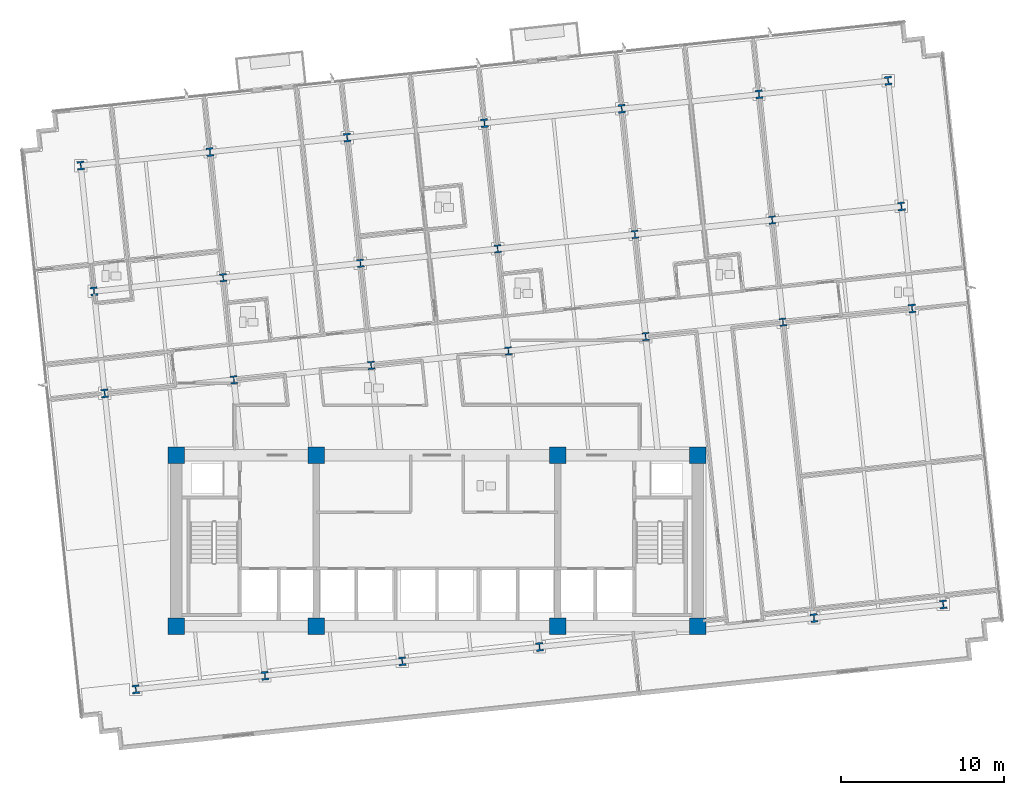
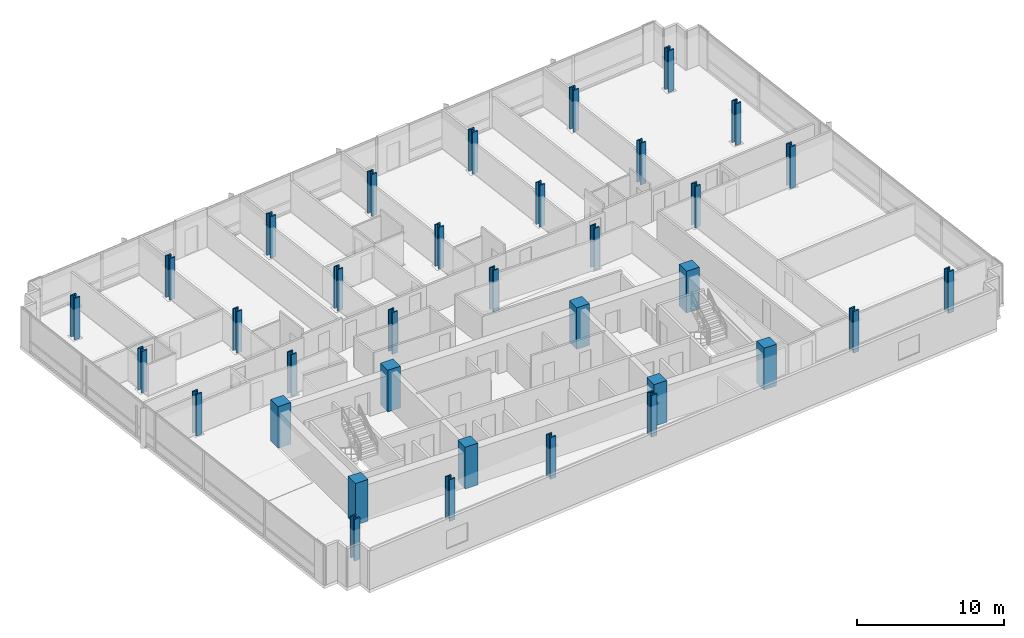
# One storey, part 1 of 20: 35 columns.
"""IFC4 building model written with IfcOpenShell, lengths in metres."""

import ifcopenshell
import ifcopenshell.guid

model = None  # the IFC model being written
_history = None  # IfcOwnerHistory: only IFC2X3 demands one
_inside = {}  # id of a spatial element -> (the spatial element, [elements in it])
_under = {}  # id of a project, library or spatial element -> (it, [spatial elements below it])
_declared = {}  # id of a project -> (the project, [libraries it declares])
_typed = {}  # id of a type object -> (the type object, [elements of that type])
_made_of = {}  # id of a material, layer set ... -> (it, [elements and type objects made of it])


def new_model(schema):
    """Start an empty IFC model of exactly this schema.

    Asked for "IFC4X3", IfcOpenShell would pick the latest addendum, in which some entities
    have other attributes; the version numbers below select the first issue.
    IFC2X3 requires an IfcOwnerHistory on every rooted entity: one is made here for all.
    """
    global model, _history
    if schema == "IFC4X3":
        model = ifcopenshell.file(schema_version=(4, 3, 0, 0))
    else:
        model = ifcopenshell.file(schema=schema)
    _inside.clear()
    _under.clear()
    _declared.clear()
    _typed.clear()
    _made_of.clear()
    _history = None
    if model.schema == "IFC2X3":
        org = make("IfcOrganization", Name="unknown")
        user = make(
            "IfcPersonAndOrganization",
            ThePerson=make("IfcPerson", FamilyName="unknown"),
            TheOrganization=org,
        )
        app = make(
            "IfcApplication",
            ApplicationDeveloper=org,
            Version="unknown",
            ApplicationFullName="unknown",
            ApplicationIdentifier="unknown",
        )
        _history = make(
            "IfcOwnerHistory",
            OwningUser=user,
            OwningApplication=app,
            ChangeAction="ADDED",
            CreationDate=0,
        )
    return model


def make(cls, **values):
    """One entity of the class cls with the attributes given. An attribute that is None is left unset."""
    return model.create_entity(
        cls, **{name: value for name, value in values.items() if value is not None}
    )


def rooted(cls, **values):
    """An entity with a GlobalId (a new one), such as an element, a storey or a relation."""
    return make(cls, GlobalId=ifcopenshell.guid.new(), OwnerHistory=_history, **values)


def si_unit(unit_type, name, prefix=None):
    """IfcSIUnit, for example si_unit("LENGTHUNIT", "METRE", prefix="MILLI")."""
    return make("IfcSIUnit", UnitType=unit_type, Prefix=prefix, Name=name)


def assignment(units):
    """IfcUnitAssignment: the units of a project."""
    return None if units is None else make("IfcUnitAssignment", Units=units)


def point(xyz):
    """IfcCartesianPoint."""
    return None if xyz is None else make("IfcCartesianPoint", Coordinates=xyz)


def direction(xyz):
    """IfcDirection."""
    return None if xyz is None else make("IfcDirection", DirectionRatios=xyz)


def frame(location, z_axis=None, x_axis=None):
    """IfcAxis2Placement3D, a coordinate frame: its origin and axes. An axis left out is left unset."""
    return make(
        "IfcAxis2Placement3D",
        Location=point(location),
        Axis=direction(z_axis),
        RefDirection=direction(x_axis),
    )


def frame_2d(location, x_axis=None):
    """IfcAxis2Placement2D, a coordinate frame in the plane: its origin and x axis."""
    return make(
        "IfcAxis2Placement2D", Location=point(location), RefDirection=direction(x_axis)
    )


def origin():
    """The frame at (0, 0, 0) with its axes left unset."""
    return frame((0.0, 0.0, 0.0))


def origin_2d():
    """The frame at (0, 0) in the plane with its x axis left unset."""
    return frame_2d((0.0, 0.0))


def place(relative_to, where):
    """IfcLocalPlacement: puts the frame where relative to a parent placement (None: the world)."""
    return make(
        "IfcLocalPlacement", PlacementRelTo=relative_to, RelativePlacement=where
    )


def context(
    kind, dimensions, precision=None, world=None, true_north=None, identifier=None
):
    """IfcGeometricRepresentationContext, for example the 3D "Model" context."""
    return make(
        "IfcGeometricRepresentationContext",
        ContextIdentifier=identifier,
        ContextType=kind,
        CoordinateSpaceDimension=dimensions,
        Precision=precision,
        WorldCoordinateSystem=world,
        TrueNorth=true_north,
    )


def subcontext(parent, identifier, kind, view, scale=None):
    """IfcGeometricRepresentationSubContext, for example "Body" below "Model"."""
    return make(
        "IfcGeometricRepresentationSubContext",
        ContextIdentifier=identifier,
        ContextType=kind,
        ParentContext=parent,
        TargetScale=scale,
        TargetView=view,
    )


def project(units=None, contexts=None):
    """IfcProject with its units and contexts."""
    return rooted(
        "IfcProject",
        Name="project",
        RepresentationContexts=contexts,
        UnitsInContext=assignment(units),
    )


def spatial(cls, under=None, at=None, **own):
    """A site, building, storey or space (cls), placed at a placement, below another one or the project."""
    s = rooted(cls, ObjectPlacement=at, **own)
    if under is not None:
        _under.setdefault(under.id(), (under, []))[1].append(s)
    return s


def profile(cls, at=None, kind="AREA", **sizes):
    """A parametric profile (cls). Its sizes go by their IFC names, for example OverallWidth=200.0."""
    return make(cls, ProfileType=kind, Position=at, **sizes)


def rectangle(**sizes):
    """IfcRectangleProfileDef."""
    return profile("IfcRectangleProfileDef", **sizes)


def i_section(**sizes):
    """IfcIShapeProfileDef."""
    return profile("IfcIShapeProfileDef", **sizes)


def extrude(swept, where, along, depth):
    """IfcExtrudedAreaSolid: the profile swept, set in the frame where, extruded along a direction by depth."""
    return make(
        "IfcExtrudedAreaSolid",
        SweptArea=swept,
        Position=where,
        ExtrudedDirection=direction(along),
        Depth=depth,
    )


def shape(context_of_items, identifier, shape_type, items):
    """IfcShapeRepresentation: the items that make up one representation, for example the "Body"."""
    return make(
        "IfcShapeRepresentation",
        ContextOfItems=context_of_items,
        RepresentationIdentifier=identifier,
        RepresentationType=shape_type,
        Items=items,
    )


def material(Name=None, Category=None):
    """IfcMaterial."""
    return make("IfcMaterial", Name=Name, Category=Category)


def material_profile(
    of_material, cross_section, Name=None, Category=None, Priority=None
):
    """IfcMaterialProfile: a cross section and its material."""
    return make(
        "IfcMaterialProfile",
        Name=Name,
        Material=of_material,
        Profile=cross_section,
        Priority=Priority,
        Category=Category,
    )


def profile_set(profiles, Name=None, composite=None):
    """IfcMaterialProfileSet."""
    return make(
        "IfcMaterialProfileSet",
        Name=Name,
        MaterialProfiles=profiles,
        CompositeProfile=composite,
    )


def made_of(thing, what):
    """Note that an element or type object is made of a material, layer set ...; save() writes the relation."""
    if what is not None:
        _made_of.setdefault(what.id(), (what, []))[1].append(thing)
    return thing


def type_object(cls, material=None, **own):
    """A type object (cls), such as IfcWallType, which elements share."""
    return made_of(rooted(cls, **own), material)


def element(
    cls,
    number,
    at=None,
    inside=None,
    cuts=None,
    type_object=None,
    material=None,
    context=None,
    identifier="Body",
    shape_type=None,
    held_by="IfcProductDefinitionShape",
    body=None,
    shapes=None,
    **own,
):
    """One element of the class cls, such as IfcWall. Its Tag is "e" and its number.

    at: its placement. inside: the storey or other place that contains it. cuts: it is an
    opening in that element (IfcRelVoidsElement). A single representation is given by context,
    identifier, shape_type and body (its items); several are given by shapes. held_by: the class
    of the entity that holds the representations. save() writes the other relations.
    """
    e = rooted(cls, Tag="e%d" % number, ObjectPlacement=at, **own)
    if body is not None:
        shapes = [shape(context, identifier, shape_type, body)]
    if shapes is not None:
        e.Representation = make(held_by, Representations=shapes)
    if inside is not None:
        _inside.setdefault(inside.id(), (inside, []))[1].append(e)
    if cuts is not None:
        rooted(
            "IfcRelVoidsElement", RelatingBuildingElement=cuts, RelatedOpeningElement=e
        )
    if type_object is not None:
        _typed.setdefault(type_object.id(), (type_object, []))[1].append(e)
    return made_of(e, material)


def aggregate(whole, parts):
    """IfcRelAggregates: a whole, such as a stair, and the parts it consists of."""
    return rooted("IfcRelAggregates", RelatingObject=whole, RelatedObjects=parts)


def save(model, path):
    """Write the relations noted so far, then the file.

    IfcRelAggregates (storeys below a building ...), IfcRelContainedInSpatialStructure (elements
    in a storey), IfcRelDefinesByType, IfcRelAssociatesMaterial and IfcRelDeclares: one each for
    every whole, place, type object, material and project.
    """
    for whole, parts in _under.values():
        aggregate(whole, parts)
    for where, things in _inside.values():
        rooted(
            "IfcRelContainedInSpatialStructure",
            RelatedElements=things,
            RelatingStructure=where,
        )
    for kind, things in _typed.values():
        rooted("IfcRelDefinesByType", RelatedObjects=things, RelatingType=kind)
    for what, things in _made_of.values():
        rooted("IfcRelAssociatesMaterial", RelatedObjects=things, RelatingMaterial=what)
    for by, libraries in _declared.values():
        rooted("IfcRelDeclares", RelatingContext=by, RelatedDefinitions=libraries)
    model.write(path)


model = new_model("IFC4")

# Units and contexts
model_context = context("Model", 3, precision=1e-05, world=origin(), true_north=direction((0.0, 1.0)))
body_context = subcontext(model_context, "Body", "Model", "MODEL_VIEW")
ifc_project = project(units=[si_unit("LENGTHUNIT", "METRE"), si_unit("AREAUNIT", "SQUARE_METRE"), si_unit("VOLUMEUNIT", "CUBIC_METRE"), si_unit("PLANEANGLEUNIT", "RADIAN"), si_unit("MASSUNIT", "GRAM", prefix="KILO")], contexts=[model_context])

# Site, building, storey
site_placement = place(None, origin())
site = spatial("IfcSite", under=ifc_project, at=site_placement, CompositionType="ELEMENT")
building_placement = place(site_placement, origin())
building = spatial("IfcBuilding", under=site, at=building_placement, Name="Solmavex Isthmus Hotel", CompositionType="ELEMENT")
storey_placement = place(building_placement, frame((0.0, 0.0, 87.0)))
storey = spatial("IfcBuildingStorey", under=building, at=storey_placement, Name="L23", CompositionType="ELEMENT", Elevation=87.0)

# Columns
ifc_material_1 = material(Name="Concrete C60/75", Category="concrete")
ifc_material_profile_1 = material_profile(ifc_material_1, rectangle(XDim=1.0, YDim=1.0, at=origin_2d()), Name="RC1000X1000")
ifc_profile_set_1 = profile_set([ifc_material_profile_1], Name="Concrete C60/75")
column_type_1 = type_object("IfcColumnType", Name="COL-CC-1000", PredefinedType="COLUMN", material=ifc_profile_set_1)
for number, where, z_axis, x_axis, name in (
    (1, (-16.0, -13.0, 0.0), (0.0, 0.0, 1.0), (1.0, 0.0, 0.0), "Core Pilaster CC-SW L23"),
    (2, (-7.39990234375, -13.0, 0.0), (0.0, 0.0, 1.0), (1.0, 0.0, 0.0), "Core Pilaster CC-S1 L23"),
    (3, (7.39990234375, -13.0, 0.0), (0.0, 0.0, 1.0), (1.0, 0.0, 0.0), "Core Pilaster CC-S2 L23"),
    (4, (16.0, -13.0, 0.0), (0.0, 0.0, 1.0), (1.0, 0.0, 0.0), "Core Pilaster CC-SE L23"),
    (5, (-16.0, -2.5, 0.0), (0.0, 0.0, 1.0), (1.0, 0.0, 0.0), "Core Pilaster CC-NW L23"),
    (6, (-7.39990234375, -2.5, 0.0), (0.0, 0.0, 1.0), (1.0, 0.0, 0.0), "Core Pilaster CC-N1 L23"),
    (7, (7.39990234375, -2.5, 0.0), (0.0, 0.0, 1.0), (1.0, 0.0, 0.0), "Core Pilaster CC-N2 L23"),
    (8, (16.0, -2.5, 0.0), (0.0, 0.0, 1.0), (1.0, 0.0, 0.0), "Core Pilaster CC-NE L23"),
):
    element("IfcColumn", number, at=place(storey_placement, frame(where, z_axis=z_axis, x_axis=x_axis)), inside=storey, type_object=column_type_1, Name=name, PredefinedType="COLUMN", context=body_context, shape_type="SweptSolid", body=[
        extrude(rectangle(XDim=1.0, YDim=1.0, at=origin_2d()), origin(), (0.0, 0.0, 1.0), 3.449951171875),
    ])
ifc_material_2 = material(Name="Steel ASTM A913 Grade 65", Category="steel")
ifc_material_profile_2 = material_profile(ifc_material_2, i_section(OverallWidth=0.43212890625, OverallDepth=0.497802734375, WebThickness=0.0556640625, FlangeThickness=0.0888671875, FilletRadius=0.030517578125, at=origin_2d()), Name="W14X500")
ifc_profile_set_2 = profile_set([ifc_material_profile_2], Name="Steel ASTM A913 Grade 65")
column_type_2 = type_object("IfcColumnType", Name="COL-SC-W14X500", PredefinedType="COLUMN", material=ifc_profile_set_2)
for number, where, z_axis, x_axis, name in (
    (9, (-12.458740234375, 2.11865234375, 0.0), (0.0, 0.0, 1.0), (0.994521895368, 0.104528463268, 0.0), "Tower Column B2-U2V2 L23"),
    (10, (-13.1171875, 8.382080078125, 0.0), (0.0, 0.0, 1.0), (0.994521895368, 0.104528463268, 0.0), "Tower Column B2-U2V3 L23"),
    (11, (-4.0390625, 3.003662109375, 0.0), (0.0, 0.0, 1.0), (0.994521895368, 0.104528463268, 0.0), "Tower Column B2-U3V2 L23"),
    (12, (-4.697509765625, 9.26708984375, 0.0), (0.0, 0.0, 1.0), (0.994521895368, 0.104528463268, 0.0), "Tower Column B2-U3V3 L23"),
    (13, (4.38037109375, 3.888427734375, 0.0), (0.0, 0.0, 1.0), (0.994521895368, 0.104528463268, 0.0), "Tower Column B2-U4V2 L23"),
    (14, (3.72216796875, 10.152099609375, 0.0), (0.0, 0.0, 1.0), (0.994521895368, 0.104528463268, 0.0), "Tower Column B2-U4V3 L23"),
    (15, (12.800048828125, 4.7734375, 0.0), (0.0, 0.0, 1.0), (0.994521895368, 0.104528463268, 0.0), "Tower Column B2-U5V2 L23"),
    (16, (12.141845703125, 11.036865234375, 0.0), (0.0, 0.0, 1.0), (0.994521895368, 0.104528463268, 0.0), "Tower Column B2-U5V3 L23"),
    (17, (21.2197265625, 5.658447265625, 0.0), (0.0, 0.0, 1.0), (0.994521895368, 0.104528463268, 0.0), "Tower Column B2-U6V2 L23"),
    (18, (20.5615234375, 11.921875, 0.0), (0.0, 0.0, 1.0), (0.994521895368, 0.104528463268, 0.0), "Tower Column B2-U6V3 L23"),
):
    element("IfcColumn", number, at=place(storey_placement, frame(where, z_axis=z_axis, x_axis=x_axis)), inside=storey, type_object=column_type_2, Name=name, PredefinedType="COLUMN", context=body_context, shape_type="SweptSolid", body=[
        extrude(i_section(OverallWidth=0.43212890625, OverallDepth=0.497802734375, WebThickness=0.0556640625, FlangeThickness=0.0888671875, FilletRadius=0.030517578125, at=origin_2d()), origin(), (0.0, 0.0, 1.0), 3.449951171875),
    ])
ifc_material_profile_3 = material_profile(ifc_material_2, i_section(OverallWidth=0.442138671875, OverallDepth=0.531494140625, WebThickness=0.06591796875, FlangeThickness=0.105712890625, FilletRadius=0.030517578125, at=origin_2d()), Name="W14X605")
ifc_profile_set_3 = profile_set([ifc_material_profile_3], Name="Steel ASTM A913 Grade 65")
column_type_3 = type_object("IfcColumnType", Name="COL-SC-W14X605", PredefinedType="COLUMN", material=ifc_profile_set_3)
for number, where, z_axis, x_axis, name in (
    (19, (-18.475341796875, -16.8642578125, 0.0), (0.0, 0.0, 1.0), (0.994521895368, 0.104528463268, 0.0), "Tower Column B2-U1V1 L23"),
    (20, (-20.383056640625, 1.28564453125, 0.0), (0.0, 0.0, 1.0), (0.994521895368, 0.104528463268, 0.0), "Tower Column B2-U1V2 L23"),
    (21, (-21.04150390625, 7.54931640625, 0.0), (0.0, 0.0, 1.0), (0.994521895368, 0.104528463268, 0.0), "Tower Column B2-U1V3 L23"),
    (22, (-21.851806640625, 15.2587890625, 0.0), (0.0, 0.0, 1.0), (0.994521895368, 0.104528463268, 0.0), "Tower Column B2-U1V4 L23"),
    (23, (-10.551025390625, -16.031494140625, 0.0), (0.0, 0.0, 1.0), (0.994521895368, 0.104528463268, 0.0), "Tower Column B2-U2V1 L23"),
    (24, (-13.927490234375, 16.091552734375, 0.0), (0.0, 0.0, 1.0), (0.994521895368, 0.104528463268, 0.0), "Tower Column B2-U2V4 L23"),
    (25, (-2.131591796875, -15.146484375, 0.0), (0.0, 0.0, 1.0), (0.994521895368, 0.104528463268, 0.0), "Tower Column B2-U3V1 L23"),
    (26, (-5.5078125, 16.9765625, 0.0), (0.0, 0.0, 1.0), (0.994521895368, 0.104528463268, 0.0), "Tower Column B2-U3V4 L23"),
    (27, (6.2880859375, -14.261474609375, 0.0), (0.0, 0.0, 1.0), (0.994521895368, 0.104528463268, 0.0), "Tower Column B2-U4V1 L23"),
    (28, (2.911865234375, 17.861572265625, 0.0), (0.0, 0.0, 1.0), (0.994521895368, 0.104528463268, 0.0), "Tower Column B2-U4V4 L23"),
    (29, (11.33154296875, 18.74658203125, 0.0), (0.0, 0.0, 1.0), (0.994521895368, 0.104528463268, 0.0), "Tower Column B2-U5V4 L23"),
    (30, (23.12744140625, -12.49169921875, 0.0), (0.0, 0.0, 1.0), (0.994521895368, 0.104528463268, 0.0), "Tower Column B2-U6V1 L23"),
    (31, (19.751220703125, 19.63134765625, 0.0), (0.0, 0.0, 1.0), (0.994521895368, 0.104528463268, 0.0), "Tower Column B2-U6V4 L23"),
    (32, (31.0517578125, -11.65869140625, 0.0), (0.0, 0.0, 1.0), (0.994521895368, 0.104528463268, 0.0), "Tower Column B2-U7V1 L23"),
    (33, (29.14404296875, 6.4912109375, 0.0), (0.0, 0.0, 1.0), (0.994521895368, 0.104528463268, 0.0), "Tower Column B2-U7V2 L23"),
    (34, (28.48583984375, 12.754638671875, 0.0), (0.0, 0.0, 1.0), (0.994521895368, 0.104528463268, 0.0), "Tower Column B2-U7V3 L23"),
    (35, (27.675537109375, 20.46435546875, 0.0), (0.0, 0.0, 1.0), (0.994521895368, 0.104528463268, 0.0), "Tower Column B2-U7V4 L23"),
):
    element("IfcColumn", number, at=place(storey_placement, frame(where, z_axis=z_axis, x_axis=x_axis)), inside=storey, type_object=column_type_3, Name=name, PredefinedType="COLUMN", context=body_context, shape_type="SweptSolid", body=[
        extrude(i_section(OverallWidth=0.442138671875, OverallDepth=0.531494140625, WebThickness=0.06591796875, FlangeThickness=0.105712890625, FilletRadius=0.030517578125, at=origin_2d()), origin(), (0.0, 0.0, 1.0), 3.449951171875),
    ])

save(model, "model.ifc")
